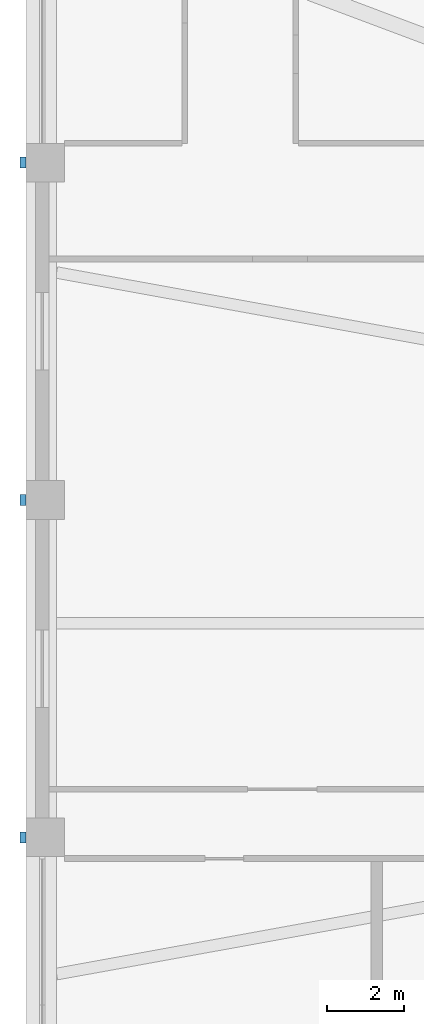
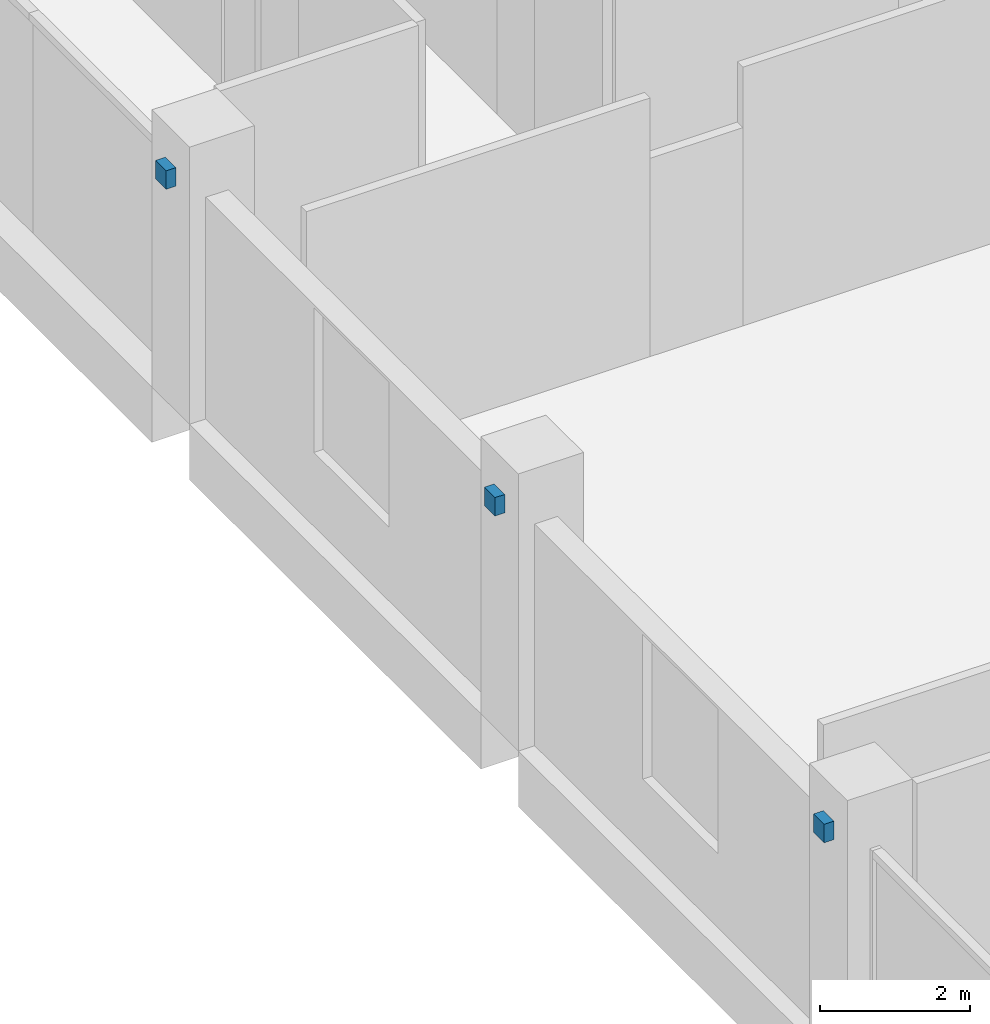
# One storey, part 25 of 33: 3 discrete accessories.
"""IFC4 building model written with IfcOpenShell, lengths in metres."""

import ifcopenshell
import ifcopenshell.guid

model = None  # the IFC model being written
_history = None  # IfcOwnerHistory: only IFC2X3 demands one
_inside = {}  # id of a spatial element -> (the spatial element, [elements in it])
_under = {}  # id of a project, library or spatial element -> (it, [spatial elements below it])
_declared = {}  # id of a project -> (the project, [libraries it declares])
_typed = {}  # id of a type object -> (the type object, [elements of that type])
_made_of = {}  # id of a material, layer set ... -> (it, [elements and type objects made of it])


def new_model(schema):
    """Start an empty IFC model of exactly this schema.

    Asked for "IFC4X3", IfcOpenShell would pick the latest addendum, in which some entities
    have other attributes; the version numbers below select the first issue.
    IFC2X3 requires an IfcOwnerHistory on every rooted entity: one is made here for all.
    """
    global model, _history
    if schema == "IFC4X3":
        model = ifcopenshell.file(schema_version=(4, 3, 0, 0))
    else:
        model = ifcopenshell.file(schema=schema)
    _inside.clear()
    _under.clear()
    _declared.clear()
    _typed.clear()
    _made_of.clear()
    _history = None
    if model.schema == "IFC2X3":
        org = make("IfcOrganization", Name="unknown")
        user = make(
            "IfcPersonAndOrganization",
            ThePerson=make("IfcPerson", FamilyName="unknown"),
            TheOrganization=org,
        )
        app = make(
            "IfcApplication",
            ApplicationDeveloper=org,
            Version="unknown",
            ApplicationFullName="unknown",
            ApplicationIdentifier="unknown",
        )
        _history = make(
            "IfcOwnerHistory",
            OwningUser=user,
            OwningApplication=app,
            ChangeAction="ADDED",
            CreationDate=0,
        )
    return model


def make(cls, **values):
    """One entity of the class cls with the attributes given. An attribute that is None is left unset."""
    return model.create_entity(
        cls, **{name: value for name, value in values.items() if value is not None}
    )


def rooted(cls, **values):
    """An entity with a GlobalId (a new one), such as an element, a storey or a relation."""
    return make(cls, GlobalId=ifcopenshell.guid.new(), OwnerHistory=_history, **values)


def si_unit(unit_type, name, prefix=None):
    """IfcSIUnit, for example si_unit("LENGTHUNIT", "METRE", prefix="MILLI")."""
    return make("IfcSIUnit", UnitType=unit_type, Prefix=prefix, Name=name)


def assignment(units):
    """IfcUnitAssignment: the units of a project."""
    return None if units is None else make("IfcUnitAssignment", Units=units)


def point(xyz):
    """IfcCartesianPoint."""
    return None if xyz is None else make("IfcCartesianPoint", Coordinates=xyz)


def direction(xyz):
    """IfcDirection."""
    return None if xyz is None else make("IfcDirection", DirectionRatios=xyz)


def frame(location, z_axis=None, x_axis=None):
    """IfcAxis2Placement3D, a coordinate frame: its origin and axes. An axis left out is left unset."""
    return make(
        "IfcAxis2Placement3D",
        Location=point(location),
        Axis=direction(z_axis),
        RefDirection=direction(x_axis),
    )


def frame_2d(location, x_axis=None):
    """IfcAxis2Placement2D, a coordinate frame in the plane: its origin and x axis."""
    return make(
        "IfcAxis2Placement2D", Location=point(location), RefDirection=direction(x_axis)
    )


def origin():
    """The frame at (0, 0, 0) with its axes left unset."""
    return frame((0.0, 0.0, 0.0))


def origin_2d():
    """The frame at (0, 0) in the plane with its x axis left unset."""
    return frame_2d((0.0, 0.0))


def place(relative_to, where):
    """IfcLocalPlacement: puts the frame where relative to a parent placement (None: the world)."""
    return make(
        "IfcLocalPlacement", PlacementRelTo=relative_to, RelativePlacement=where
    )


def context(
    kind, dimensions, precision=None, world=None, true_north=None, identifier=None
):
    """IfcGeometricRepresentationContext, for example the 3D "Model" context."""
    return make(
        "IfcGeometricRepresentationContext",
        ContextIdentifier=identifier,
        ContextType=kind,
        CoordinateSpaceDimension=dimensions,
        Precision=precision,
        WorldCoordinateSystem=world,
        TrueNorth=true_north,
    )


def subcontext(parent, identifier, kind, view, scale=None):
    """IfcGeometricRepresentationSubContext, for example "Body" below "Model"."""
    return make(
        "IfcGeometricRepresentationSubContext",
        ContextIdentifier=identifier,
        ContextType=kind,
        ParentContext=parent,
        TargetScale=scale,
        TargetView=view,
    )


def project(units=None, contexts=None):
    """IfcProject with its units and contexts."""
    return rooted(
        "IfcProject",
        Name="project",
        RepresentationContexts=contexts,
        UnitsInContext=assignment(units),
    )


def spatial(cls, under=None, at=None, **own):
    """A site, building, storey or space (cls), placed at a placement, below another one or the project."""
    s = rooted(cls, ObjectPlacement=at, **own)
    if under is not None:
        _under.setdefault(under.id(), (under, []))[1].append(s)
    return s


def profile(cls, at=None, kind="AREA", **sizes):
    """A parametric profile (cls). Its sizes go by their IFC names, for example OverallWidth=200.0."""
    return make(cls, ProfileType=kind, Position=at, **sizes)


def rectangle(**sizes):
    """IfcRectangleProfileDef."""
    return profile("IfcRectangleProfileDef", **sizes)


def extrude(swept, where, along, depth):
    """IfcExtrudedAreaSolid: the profile swept, set in the frame where, extruded along a direction by depth."""
    return make(
        "IfcExtrudedAreaSolid",
        SweptArea=swept,
        Position=where,
        ExtrudedDirection=direction(along),
        Depth=depth,
    )


def shape(context_of_items, identifier, shape_type, items):
    """IfcShapeRepresentation: the items that make up one representation, for example the "Body"."""
    return make(
        "IfcShapeRepresentation",
        ContextOfItems=context_of_items,
        RepresentationIdentifier=identifier,
        RepresentationType=shape_type,
        Items=items,
    )


def material(Name=None, Category=None):
    """IfcMaterial."""
    return make("IfcMaterial", Name=Name, Category=Category)


def made_of(thing, what):
    """Note that an element or type object is made of a material, layer set ...; save() writes the relation."""
    if what is not None:
        _made_of.setdefault(what.id(), (what, []))[1].append(thing)
    return thing


def type_object(cls, material=None, **own):
    """A type object (cls), such as IfcWallType, which elements share."""
    return made_of(rooted(cls, **own), material)


def element(
    cls,
    number,
    at=None,
    inside=None,
    cuts=None,
    type_object=None,
    material=None,
    context=None,
    identifier="Body",
    shape_type=None,
    held_by="IfcProductDefinitionShape",
    body=None,
    shapes=None,
    **own,
):
    """One element of the class cls, such as IfcWall. Its Tag is "e" and its number.

    at: its placement. inside: the storey or other place that contains it. cuts: it is an
    opening in that element (IfcRelVoidsElement). A single representation is given by context,
    identifier, shape_type and body (its items); several are given by shapes. held_by: the class
    of the entity that holds the representations. save() writes the other relations.
    """
    e = rooted(cls, Tag="e%d" % number, ObjectPlacement=at, **own)
    if body is not None:
        shapes = [shape(context, identifier, shape_type, body)]
    if shapes is not None:
        e.Representation = make(held_by, Representations=shapes)
    if inside is not None:
        _inside.setdefault(inside.id(), (inside, []))[1].append(e)
    if cuts is not None:
        rooted(
            "IfcRelVoidsElement", RelatingBuildingElement=cuts, RelatedOpeningElement=e
        )
    if type_object is not None:
        _typed.setdefault(type_object.id(), (type_object, []))[1].append(e)
    return made_of(e, material)


def aggregate(whole, parts):
    """IfcRelAggregates: a whole, such as a stair, and the parts it consists of."""
    return rooted("IfcRelAggregates", RelatingObject=whole, RelatedObjects=parts)


def save(model, path):
    """Write the relations noted so far, then the file.

    IfcRelAggregates (storeys below a building ...), IfcRelContainedInSpatialStructure (elements
    in a storey), IfcRelDefinesByType, IfcRelAssociatesMaterial and IfcRelDeclares: one each for
    every whole, place, type object, material and project.
    """
    for whole, parts in _under.values():
        aggregate(whole, parts)
    for where, things in _inside.values():
        rooted(
            "IfcRelContainedInSpatialStructure",
            RelatedElements=things,
            RelatingStructure=where,
        )
    for kind, things in _typed.values():
        rooted("IfcRelDefinesByType", RelatedObjects=things, RelatingType=kind)
    for what, things in _made_of.values():
        rooted("IfcRelAssociatesMaterial", RelatedObjects=things, RelatingMaterial=what)
    for by, libraries in _declared.values():
        rooted("IfcRelDeclares", RelatingContext=by, RelatedDefinitions=libraries)
    model.write(path)


model = new_model("IFC4")

# Units and contexts
model_context = context("Model", 3, precision=1e-05, world=origin(), true_north=direction((0.0, 1.0)))
body_context = subcontext(model_context, "Body", "Model", "MODEL_VIEW")
ifc_project = project(units=[si_unit("LENGTHUNIT", "METRE"), si_unit("AREAUNIT", "SQUARE_METRE"), si_unit("VOLUMEUNIT", "CUBIC_METRE"), si_unit("PLANEANGLEUNIT", "RADIAN"), si_unit("MASSUNIT", "GRAM", prefix="KILO")], contexts=[model_context])

# Site, building, storey
site_placement = place(None, origin())
site = spatial("IfcSite", under=ifc_project, at=site_placement, CompositionType="ELEMENT")
building_placement = place(site_placement, origin())
building = spatial("IfcBuilding", under=site, at=building_placement, Name="Isthmus Gate Tower", CompositionType="ELEMENT")
storey_placement = place(building_placement, frame((0.0, 0.0, 22.5)))
storey = spatial("IfcBuildingStorey", under=building, at=storey_placement, Name="L03", CompositionType="ELEMENT", Elevation=22.5)

# Discrete accessories
ifc_material = material(Name="Structural steel ASTM A572 Gr 50, white paint system", Category="steel")
discrete_accessory_type = type_object("IfcDiscreteAccessoryType", Name="FIN BRACKET 281 X 150 X 300", PredefinedType="BRACKET", material=ifc_material)
for number, where, z_axis, x_axis, name in (
    (1, (-52.074951171875, 17.5, 3.35009765625), (0.0, 0.0, 1.0), (-1.0, 0.0, 0.0), "FIN BRACKET"),
    (2, (-52.074951171875, 8.75, 3.35009765625), (0.0, 0.0, 1.0), (-1.0, 0.0, 0.0), "FIN BRACKET"),
    (3, (-52.074951171875, 0.0, 3.35009765625), (0.0, 0.0, 1.0), (-1.0, 0.0, 0.0), "FIN BRACKET"),
):
    element("IfcDiscreteAccessory", number, at=place(storey_placement, frame(where, z_axis=z_axis, x_axis=x_axis)), inside=storey, type_object=discrete_accessory_type, Name=name, PredefinedType="BRACKET", context=body_context, shape_type="SweptSolid", body=[
        extrude(rectangle(XDim=0.14990234375, YDim=0.281005859375, at=origin_2d()), origin(), (0.0, 0.0, 1.0), 0.300048828125),
    ])

save(model, "model.ifc")
